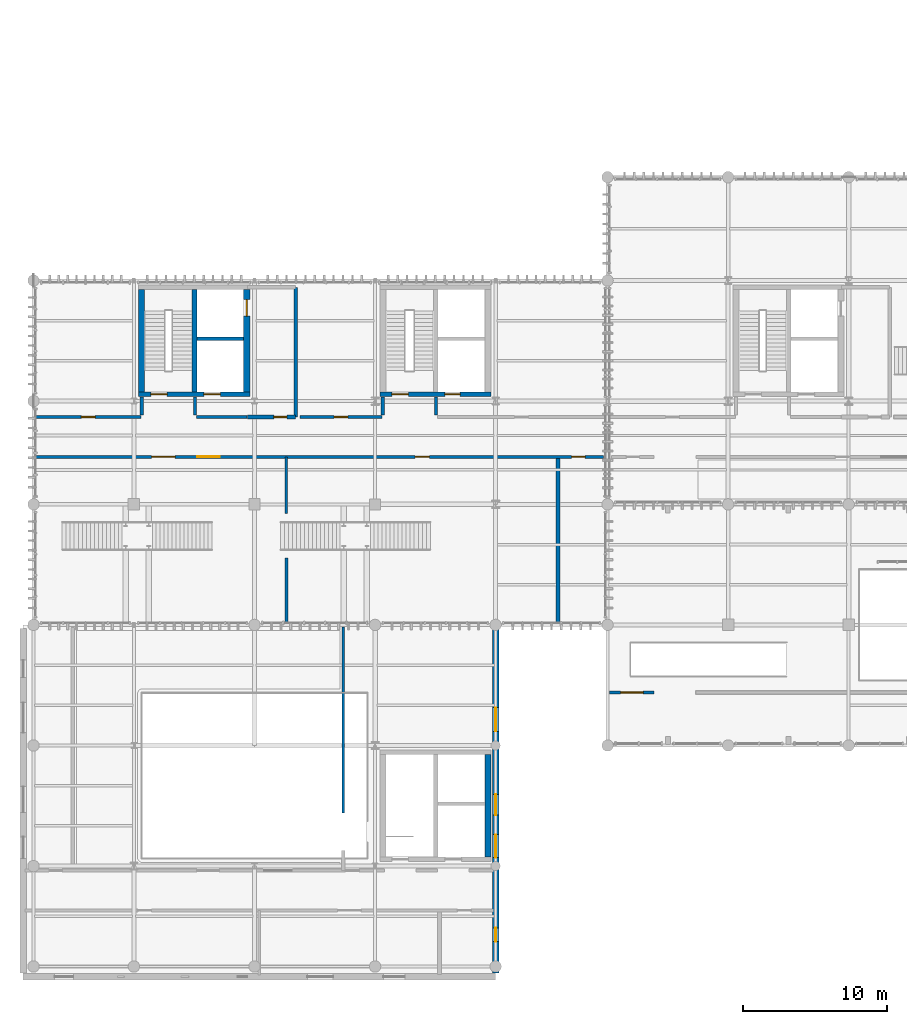
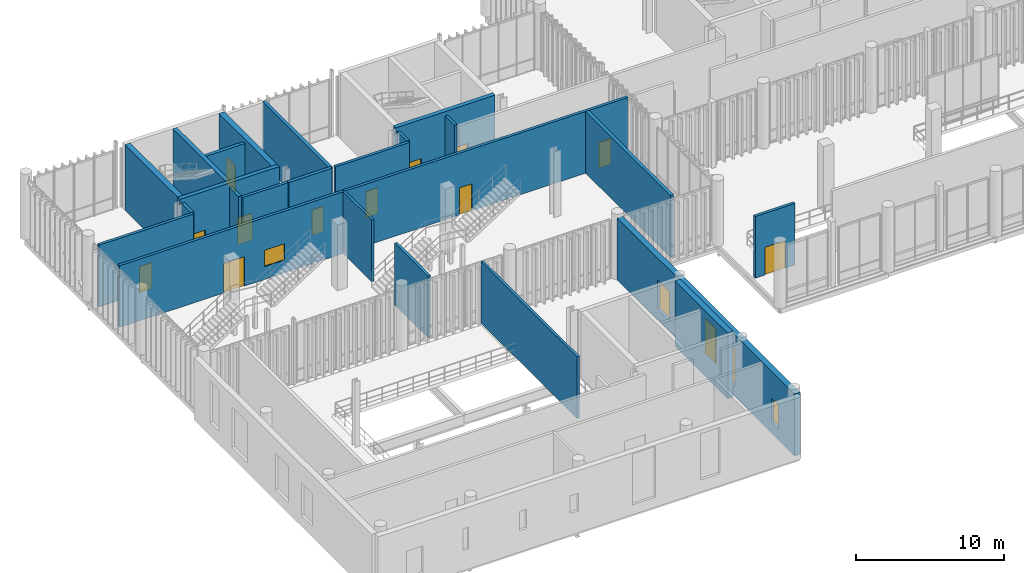
# One storey, part 105 of 128: 23 walls, 12 doors, 5 windows, 17 openings.
"""IFC4 building model written with IfcOpenShell, lengths in metres."""

from ifc_helpers import new_model, si_unit, direction, frame, frame_2d, origin_with_axes, place, context, subcontext, project, spatial, rectangle, extrude, material, layer, layer_set, type_object, element, fill, save


model = new_model("IFC4")

# Units and contexts
model_context = context("Model", 3, precision=1e-05, world=origin_with_axes(), true_north=direction((0.0, 1.0)))
body_context = subcontext(model_context, "Body", "Model", "MODEL_VIEW")
ifc_project = project(units=[si_unit("LENGTHUNIT", "METRE"), si_unit("AREAUNIT", "SQUARE_METRE"), si_unit("VOLUMEUNIT", "CUBIC_METRE"), si_unit("PLANEANGLEUNIT", "RADIAN"), si_unit("MASSUNIT", "GRAM", prefix="KILO"), si_unit("THERMODYNAMICTEMPERATUREUNIT", "KELVIN")], contexts=[model_context])

# Site, building, storey
site_placement = place(None, origin_with_axes())
site = spatial("IfcSite", under=ifc_project, at=site_placement, CompositionType="ELEMENT")
building_placement = place(site_placement, origin_with_axes())
building = spatial("IfcBuilding", under=site, at=building_placement, Name="Montbau Bow Law Courts", CompositionType="ELEMENT")
storey_placement = place(building_placement, frame((0.0, 0.0, 5.4), z_axis=(0.0, 0.0, 1.0), x_axis=(1.0, 0.0, 0.0)))
storey = spatial("IfcBuildingStorey", under=building, at=storey_placement, Name="L01", CompositionType="ELEMENT", Elevation=5.4)

# Wall, opening, door
ifc_material_1 = material(Name="Concrete CSA A23.1 f'c 45 MPa", Category="concrete")
ifc_layer_1 = layer(ifc_material_1, 0.42, Name="Shear Wall", Category="concrete")
ifc_layer_set_1 = layer_set([ifc_layer_1], Name="Concrete CSA A23.1 f'c 45 MPa")
wall_type_1 = type_object("IfcWallType", Name="W-COR-03", PredefinedType="SHEAR", material=ifc_layer_set_1)
wall_1_placement = place(None, frame((21.66, 46.84, 5.4), z_axis=(0.0, 0.0, 1.0), x_axis=(0.0, 1.0, 0.0)))
wall_1 = element("IfcWall", 1, at=wall_1_placement, inside=storey, type_object=wall_type_1, Name="WC-L01-0021:wal_0088", PredefinedType="SHEAR", context=body_context, shape_type="SweptSolid", body=[
    extrude(rectangle(XDim=7.119999999999997, YDim=0.42, at=frame_2d((3.56, 0.0), x_axis=(1.0, 0.0))), origin_with_axes(), (0.0, 0.0, 1.0), 5.4),
])
opening_1_placement = place(None, frame((21.66, 52.69, 5.4), z_axis=(0.0, 0.0, 1.0), x_axis=(0.0, 1.0, 0.0)))
opening_1 = element("IfcOpeningElement", 2, at=opening_1_placement, cuts=wall_1, Name="OP-LD-L01-EL-P2", PredefinedType="OPENING", context=body_context, shape_type="SweptSolid", body=[
    extrude(rectangle(XDim=1.16, YDim=2.2, at=frame_2d((0.0, 1.1), x_axis=(1.0, 0.0))), frame((0.0, 0.22, 0.0), z_axis=(0.0, -1.0, 0.0), x_axis=(1.0, 0.0, 0.0)), (0.0, 0.0, 1.0), 0.44),
])
ifc_material_2 = material(Name="Brushed Stainless Steel Elevator Landing Door", Category="steel")
door_type_1 = type_object("IfcDoorType", Name="LD-PUB-01", OperationType="NOTDEFINED", ParameterTakesPrecedence=False, PredefinedType="DOOR", material=ifc_material_2)
door_1_placement = place(None, frame((21.66, 52.69, 5.4), z_axis=(0.0, 0.0, 1.0), x_axis=(0.0, 1.0, 0.0)))
door_1 = element("IfcDoor", 3, at=door_1_placement, inside=storey, type_object=door_type_1, Name="LD-L01-EL-P2:dor_0047", OperationType="SLIDING_TO_LEFT", OverallHeight=2.2, OverallWidth=1.16, PredefinedType="DOOR", context=body_context, shape_type="SweptSolid", body=[
    extrude(rectangle(XDim=1.16, YDim=2.2, at=frame_2d((0.0, 1.1), x_axis=(1.0, 0.0))), frame((0.0, 0.04, 0.0), z_axis=(0.0, -1.0, 0.0), x_axis=(1.0, 0.0, 0.0)), (0.0, 0.0, 1.0), 0.08),
])
fill(opening_1, door_1)

# Walls
wall_2_placement = place(None, frame((14.34, 53.96, 5.4), z_axis=(0.0, 0.0, 1.0), x_axis=(0.0, -1.0, 0.0)))
element("IfcWall", 4, at=wall_2_placement, inside=storey, type_object=wall_type_1, Name="WC-L01-0022:wal_0089", PredefinedType="SHEAR", context=body_context, shape_type="SweptSolid", body=[
    extrude(rectangle(XDim=7.119999999999997, YDim=0.42, at=frame_2d((3.56, 0.0), x_axis=(1.0, 0.0))), origin_with_axes(), (0.0, 0.0, 1.0), 5.4),
])
wall_3_placement = place(None, frame((38.46, 14.44, 5.4), z_axis=(0.0, 0.0, 1.0), x_axis=(0.0, 1.0, 0.0)))
element("IfcWall", 5, at=wall_3_placement, inside=storey, type_object=wall_type_1, Name="WC-L01-0539:wal_0606", PredefinedType="SHEAR", context=body_context, shape_type="SweptSolid", body=[
    extrude(rectangle(XDim=7.119999999999999, YDim=0.42, at=frame_2d((3.56, 0.0), x_axis=(1.0, 0.0))), origin_with_axes(), (0.0, 0.0, 1.0), 5.4),
])

# Wall, openings, doors
ifc_layer_2 = layer(ifc_material_1, 0.32, Name="Shear Wall", Category="concrete")
ifc_layer_set_2 = layer_set([ifc_layer_2], Name="Concrete CSA A23.1 f'c 45 MPa")
wall_type_2 = type_object("IfcWallType", Name="W-COR-05", PredefinedType="SHEAR", material=ifc_layer_set_2)
wall_4_placement = place(None, frame((14.13, 46.68, 5.4), z_axis=(0.0, 0.0, 1.0), x_axis=(1.0, 0.0, 0.0)))
wall_4 = element("IfcWall", 6, at=wall_4_placement, inside=storey, type_object=wall_type_2, Name="WC-L01-0019:wal_0086", PredefinedType="SHEAR", context=body_context, shape_type="SweptSolid", body=[
    extrude(rectangle(XDim=7.74, YDim=0.32, at=frame_2d((3.87, 0.0), x_axis=(1.0, 0.0))), origin_with_axes(), (0.0, 0.0, 1.0), 5.4),
])
opening_2_placement = place(None, frame((15.55, 46.68, 5.4), z_axis=(0.0, 0.0, 1.0), x_axis=(1.0, 0.0, 0.0)))
opening_2 = element("IfcOpeningElement", 7, at=opening_2_placement, cuts=wall_4, Name="OP-D-L01-ST-P1", PredefinedType="OPENING", context=body_context, shape_type="SweptSolid", body=[
    extrude(rectangle(XDim=1.14, YDim=2.18, at=frame_2d((0.0, 1.09), x_axis=(1.0, 0.0))), frame((0.0, 0.17, 0.0), z_axis=(0.0, -1.0, 0.0), x_axis=(1.0, 0.0, 0.0)), (0.0, 0.0, 1.0), 0.34),
])
opening_3_placement = place(None, frame((19.25, 46.68, 5.4), z_axis=(0.0, 0.0, 1.0), x_axis=(1.0, 0.0, 0.0)))
opening_3 = element("IfcOpeningElement", 8, at=opening_3_placement, cuts=wall_4, Name="OP-LD-L01-EL-P1", PredefinedType="OPENING", context=body_context, shape_type="SweptSolid", body=[
    extrude(rectangle(XDim=1.16, YDim=2.2, at=frame_2d((0.0, 1.1), x_axis=(1.0, 0.0))), frame((0.0, 0.17, 0.0), z_axis=(0.0, -1.0, 0.0), x_axis=(1.0, 0.0, 0.0)), (0.0, 0.0, 1.0), 0.34),
])
ifc_material_3 = material(Name="1.5 h Fire-Rated Hollow-Metal Exit Stair Door", Category="steel")
door_type_2 = type_object("IfcDoorType", Name="D-ST-01", OperationType="NOTDEFINED", ParameterTakesPrecedence=False, PredefinedType="DOOR", material=ifc_material_3)
door_2_placement = place(None, frame((15.55, 46.68, 5.4), z_axis=(0.0, 0.0, 1.0), x_axis=(-1.0, 0.0, 0.0)))
door_2 = element("IfcDoor", 9, at=door_2_placement, inside=storey, type_object=door_type_2, Name="D-L01-ST-P1:dor_0045", OperationType="SINGLE_SWING_RIGHT", OverallHeight=2.18, OverallWidth=1.14, PredefinedType="DOOR", context=body_context, shape_type="SweptSolid", body=[
    extrude(rectangle(XDim=1.14, YDim=2.18, at=frame_2d((0.0, 1.09), x_axis=(1.0, 0.0))), frame((0.0, 0.04, 0.0), z_axis=(0.0, -1.0, 0.0), x_axis=(1.0, 0.0, 0.0)), (0.0, 0.0, 1.0), 0.08),
])
fill(opening_2, door_2)
door_3_placement = place(None, frame((19.25, 46.68, 5.4), z_axis=(0.0, 0.0, 1.0), x_axis=(-1.0, 0.0, 0.0)))
door_3 = element("IfcDoor", 10, at=door_3_placement, inside=storey, type_object=door_type_1, Name="LD-L01-EL-P1:dor_0046", OperationType="SLIDING_TO_LEFT", OverallHeight=2.2, OverallWidth=1.16, PredefinedType="DOOR", context=body_context, shape_type="SweptSolid", body=[
    extrude(rectangle(XDim=1.16, YDim=2.2, at=frame_2d((0.0, 1.1), x_axis=(1.0, 0.0))), frame((0.0, 0.04, 0.0), z_axis=(0.0, -1.0, 0.0), x_axis=(1.0, 0.0, 0.0)), (0.0, 0.0, 1.0), 0.08),
])
fill(opening_3, door_3)

# Wall
wall_5_placement = place(None, frame((18.02, 46.84, 5.4), z_axis=(0.0, 0.0, 1.0), x_axis=(0.0, 1.0, 0.0)))
element("IfcWall", 11, at=wall_5_placement, inside=storey, type_object=wall_type_2, Name="WS-L01-0023:wal_0090", PredefinedType="SHEAR", context=body_context, shape_type="SweptSolid", body=[
    extrude(rectangle(XDim=7.119999999999997, YDim=0.32, at=frame_2d((3.56, 0.0), x_axis=(1.0, 0.0))), origin_with_axes(), (0.0, 0.0, 1.0), 5.4),
])

# Wall, openings, doors
wall_6_placement = place(None, frame((30.93, 46.68, 5.4), z_axis=(0.0, 0.0, 1.0), x_axis=(1.0, 0.0, 0.0)))
wall_6 = element("IfcWall", 12, at=wall_6_placement, inside=storey, type_object=wall_type_2, Name="WC-L01-0094:wal_0161", PredefinedType="SHEAR", context=body_context, shape_type="SweptSolid", body=[
    extrude(rectangle(XDim=7.740000000000002, YDim=0.32, at=frame_2d((3.87, 0.0), x_axis=(1.0, 0.0))), origin_with_axes(), (0.0, 0.0, 1.0), 5.4),
])
opening_4_placement = place(None, frame((32.35, 46.68, 5.4), z_axis=(0.0, 0.0, 1.0), x_axis=(1.0, 0.0, 0.0)))
opening_4 = element("IfcOpeningElement", 13, at=opening_4_placement, cuts=wall_6, Name="OP-D-L01-ST-J1", PredefinedType="OPENING", context=body_context, shape_type="SweptSolid", body=[
    extrude(rectangle(XDim=1.14, YDim=2.18, at=frame_2d((0.0, 1.09), x_axis=(1.0, 0.0))), frame((0.0, 0.17, 0.0), z_axis=(0.0, -1.0, 0.0), x_axis=(1.0, 0.0, 0.0)), (0.0, 0.0, 1.0), 0.34),
])
opening_5_placement = place(None, frame((36.0, 46.68, 5.4), z_axis=(0.0, 0.0, 1.0), x_axis=(1.0, 0.0, 0.0)))
opening_5 = element("IfcOpeningElement", 14, at=opening_5_placement, cuts=wall_6, Name="OP-LD-L01-EL-J1", PredefinedType="OPENING", context=body_context, shape_type="SweptSolid", body=[
    extrude(rectangle(XDim=1.06, YDim=2.16, at=frame_2d((0.0, 1.08), x_axis=(1.0, 0.0))), frame((0.0, 0.17, 0.0), z_axis=(0.0, -1.0, 0.0), x_axis=(1.0, 0.0, 0.0)), (0.0, 0.0, 1.0), 0.34),
])
door_4_placement = place(None, frame((32.35, 46.68, 5.4), z_axis=(0.0, 0.0, 1.0), x_axis=(-1.0, 0.0, 0.0)))
door_4 = element("IfcDoor", 15, at=door_4_placement, inside=storey, type_object=door_type_2, Name="D-L01-ST-J1:dor_0077", OperationType="SINGLE_SWING_LEFT", OverallHeight=2.18, OverallWidth=1.14, PredefinedType="DOOR", context=body_context, shape_type="SweptSolid", body=[
    extrude(rectangle(XDim=1.14, YDim=2.18, at=frame_2d((0.0, 1.09), x_axis=(1.0, 0.0))), frame((0.0, 0.04, 0.0), z_axis=(0.0, -1.0, 0.0), x_axis=(1.0, 0.0, 0.0)), (0.0, 0.0, 1.0), 0.08),
])
fill(opening_4, door_4)
ifc_material_4 = material(Name="Bronze-Clad Judicial Elevator Landing Door", Category="steel")
door_type_3 = type_object("IfcDoorType", Name="LD-JUD-01", OperationType="NOTDEFINED", ParameterTakesPrecedence=False, PredefinedType="DOOR", material=ifc_material_4)
door_5_placement = place(None, frame((36.0, 46.68, 5.4), z_axis=(0.0, 0.0, 1.0), x_axis=(-1.0, 0.0, 0.0)))
door_5 = element("IfcDoor", 16, at=door_5_placement, inside=storey, type_object=door_type_3, Name="LD-L01-EL-J1:dor_0078", OperationType="SLIDING_TO_LEFT", OverallHeight=2.16, OverallWidth=1.06, PredefinedType="DOOR", context=body_context, shape_type="SweptSolid", body=[
    extrude(rectangle(XDim=1.06, YDim=2.16, at=frame_2d((0.0, 1.08), x_axis=(1.0, 0.0))), frame((0.0, 0.04, 0.0), z_axis=(0.0, -1.0, 0.0), x_axis=(1.0, 0.0, 0.0)), (0.0, 0.0, 1.0), 0.08),
])
fill(opening_5, door_5)

# Wall, openings, windows
ifc_material_5 = material(Name="Tyndall Limestone Ashlar Spandrel Assembly", Category="masonry")
ifc_layer_3 = layer(ifc_material_5, 0.44, Name="Solid Wall", Category="masonry")
ifc_layer_set_3 = layer_set([ifc_layer_3], Name="Tyndall Limestone Ashlar Spandrel Assembly")
wall_type_3 = type_object("IfcWallType", Name="W-EXT-03", PredefinedType="SOLIDWALL", material=ifc_layer_set_3)
wall_7_placement = place(None, frame((39.0, 6.34, 5.4), z_axis=(0.0, 0.0, 1.0), x_axis=(0.0, 1.0, 0.0)))
wall_7 = element("IfcWall", 17, at=wall_7_placement, inside=storey, type_object=wall_type_3, Name="WE-L01-005:wal_0022", PredefinedType="SOLIDWALL", context=body_context, shape_type="SweptSolid", body=[
    extrude(rectangle(XDim=23.95, YDim=0.44, at=frame_2d((11.975, 0.0), x_axis=(1.0, 0.0))), origin_with_axes(), (0.0, 0.0, 1.0), 5.1),
])
opening_6_placement = place(None, frame((39.0, 9.015, 6.35), z_axis=(0.0, 0.0, 1.0), x_axis=(0.0, 1.0, 0.0)))
opening_6 = element("IfcOpeningElement", 18, at=opening_6_placement, cuts=wall_7, Name="OP-WN-L01-014", PredefinedType="OPENING", context=body_context, shape_type="SweptSolid", body=[
    extrude(rectangle(XDim=0.95, YDim=1.95, at=frame_2d((0.0, 0.975), x_axis=(1.0, 0.0))), frame((0.0, 0.23, 0.0), z_axis=(0.0, -1.0, 0.0), x_axis=(1.0, 0.0, 0.0)), (0.0, 0.0, 1.0), 0.46),
])
opening_7_placement = place(None, frame((39.0, 15.19, 6.25), z_axis=(0.0, 0.0, 1.0), x_axis=(0.0, 1.0, 0.0)))
opening_7 = element("IfcOpeningElement", 19, at=opening_7_placement, cuts=wall_7, Name="OP-WN-L01-015", PredefinedType="OPENING", context=body_context, shape_type="SweptSolid", body=[
    extrude(rectangle(XDim=1.6, YDim=3.1, at=frame_2d((0.0, 1.55), x_axis=(1.0, 0.0))), frame((0.0, 0.23, 0.0), z_axis=(0.0, -1.0, 0.0), x_axis=(1.0, 0.0, 0.0)), (0.0, 0.0, 1.0), 0.46),
])
opening_8_placement = place(None, frame((39.0, 18.065, 6.3), z_axis=(0.0, 0.0, 1.0), x_axis=(0.0, 1.0, 0.0)))
opening_8 = element("IfcOpeningElement", 20, at=opening_8_placement, cuts=wall_7, Name="OP-WN-L01-016", PredefinedType="OPENING", context=body_context, shape_type="SweptSolid", body=[
    extrude(rectangle(XDim=1.45, YDim=2.85, at=frame_2d((0.0, 1.425), x_axis=(1.0, 0.0))), frame((0.0, 0.23, 0.0), z_axis=(0.0, -1.0, 0.0), x_axis=(1.0, 0.0, 0.0)), (0.0, 0.0, 1.0), 0.46),
])
opening_9_placement = place(None, frame((39.0, 24.015, 6.3), z_axis=(0.0, 0.0, 1.0), x_axis=(0.0, 1.0, 0.0)))
opening_9 = element("IfcOpeningElement", 21, at=opening_9_placement, cuts=wall_7, Name="OP-WN-L01-017", PredefinedType="OPENING", context=body_context, shape_type="SweptSolid", body=[
    extrude(rectangle(XDim=1.65, YDim=2.4, at=frame_2d((0.0, 1.2), x_axis=(1.0, 0.0))), frame((0.0, 0.23, 0.0), z_axis=(0.0, -1.0, 0.0), x_axis=(1.0, 0.0, 0.0)), (0.0, 0.0, 1.0), 0.46),
])
ifc_material_6 = material(Name="Triple-Glazed Low-E Argon Insulating Glass Unit", Category="glass")
window_type_1 = type_object("IfcWindowType", Name="WN-APP-01", ParameterTakesPrecedence=False, PartitioningType="SINGLE_PANEL", PredefinedType="WINDOW", material=ifc_material_6)
window_1_placement = place(None, frame((39.0, 24.015, 6.3), z_axis=(0.0, 0.0, 1.0), x_axis=(0.0, 1.0, 0.0)))
window_1 = element("IfcWindow", 22, at=window_1_placement, inside=storey, type_object=window_type_1, Name="WN-L01-017:win_0017", OverallHeight=2.4, OverallWidth=1.65, PartitioningType="SINGLE_PANEL", PredefinedType="WINDOW", context=body_context, shape_type="SweptSolid", body=[
    extrude(rectangle(XDim=1.65, YDim=2.4, at=frame_2d((0.0, 1.2), x_axis=(1.0, 0.0))), frame((0.0, 0.03, 0.0), z_axis=(0.0, -1.0, 0.0), x_axis=(1.0, 0.0, 0.0)), (0.0, 0.0, 1.0), 0.06),
])
fill(opening_9, window_1)
window_type_2 = type_object("IfcWindowType", Name="WN-CHM-04", ParameterTakesPrecedence=False, PartitioningType="SINGLE_PANEL", PredefinedType="WINDOW", material=ifc_material_6)
window_2_placement = place(None, frame((39.0, 9.015, 6.35), z_axis=(0.0, 0.0, 1.0), x_axis=(0.0, 1.0, 0.0)))
window_2 = element("IfcWindow", 23, at=window_2_placement, inside=storey, type_object=window_type_2, Name="WN-L01-014:win_0014", OverallHeight=1.95, OverallWidth=0.95, PartitioningType="SINGLE_PANEL", PredefinedType="WINDOW", context=body_context, shape_type="SweptSolid", body=[
    extrude(rectangle(XDim=0.95, YDim=1.95, at=frame_2d((0.0, 0.975), x_axis=(1.0, 0.0))), frame((0.0, 0.03, 0.0), z_axis=(0.0, -1.0, 0.0), x_axis=(1.0, 0.0, 0.0)), (0.0, 0.0, 1.0), 0.06),
])
fill(opening_6, window_2)
window_type_3 = type_object("IfcWindowType", Name="WN-LIB-01", ParameterTakesPrecedence=False, PartitioningType="SINGLE_PANEL", PredefinedType="WINDOW", material=ifc_material_6)
window_3_placement = place(None, frame((39.0, 15.19, 6.25), z_axis=(0.0, 0.0, 1.0), x_axis=(0.0, 1.0, 0.0)))
window_3 = element("IfcWindow", 24, at=window_3_placement, inside=storey, type_object=window_type_3, Name="WN-L01-015:win_0015", OverallHeight=3.1, OverallWidth=1.6, PartitioningType="SINGLE_PANEL", PredefinedType="WINDOW", context=body_context, shape_type="SweptSolid", body=[
    extrude(rectangle(XDim=1.6, YDim=3.1, at=frame_2d((0.0, 1.55), x_axis=(1.0, 0.0))), frame((0.0, 0.03, 0.0), z_axis=(0.0, -1.0, 0.0), x_axis=(1.0, 0.0, 0.0)), (0.0, 0.0, 1.0), 0.06),
])
fill(opening_7, window_3)
window_type_4 = type_object("IfcWindowType", Name="WN-LIB-02", ParameterTakesPrecedence=False, PartitioningType="SINGLE_PANEL", PredefinedType="WINDOW", material=ifc_material_6)
window_4_placement = place(None, frame((39.0, 18.065, 6.3), z_axis=(0.0, 0.0, 1.0), x_axis=(0.0, 1.0, 0.0)))
window_4 = element("IfcWindow", 25, at=window_4_placement, inside=storey, type_object=window_type_4, Name="WN-L01-016:win_0016", OverallHeight=2.85, OverallWidth=1.45, PartitioningType="SINGLE_PANEL", PredefinedType="WINDOW", context=body_context, shape_type="SweptSolid", body=[
    extrude(rectangle(XDim=1.45, YDim=2.85, at=frame_2d((0.0, 1.425), x_axis=(1.0, 0.0))), frame((0.0, 0.03, 0.0), z_axis=(0.0, -1.0, 0.0), x_axis=(1.0, 0.0, 0.0)), (0.0, 0.0, 1.0), 0.06),
])
fill(opening_8, window_4)

# Walls
ifc_material_7 = material(Name="Double-Stud Acoustic Plumbing Chase Gypsum Assembly", Category="gypsum")
ifc_layer_4 = layer(ifc_material_7, 0.26, Name="Plumbing Wall", Category="gypsum")
ifc_layer_set_4 = layer_set([ifc_layer_4], Name="Double-Stud Acoustic Plumbing Chase Gypsum Assembly")
wall_type_4 = type_object("IfcWallType", Name="W-PLM-01", PredefinedType="PLUMBINGWALL", material=ifc_layer_set_4)
wall_8_placement = place(None, frame((43.34, 30.78, 5.4), z_axis=(0.0, 0.0, 1.0), x_axis=(0.0, 1.0, 0.0)))
element("IfcWall", 26, at=wall_8_placement, inside=storey, type_object=wall_type_4, Name="WD-L01-0688:wal_0755", PredefinedType="PLUMBINGWALL", context=body_context, shape_type="SweptSolid", body=[
    extrude(rectangle(XDim=11.43, YDim=0.26, at=frame_2d((5.715, 0.0), x_axis=(1.0, 0.0))), origin_with_axes(), (0.0, 0.0, 1.0), 5.08),
])
ifc_material_8 = material(Name="2 h Shaft and Exit-Passage Fire Separation Partition", Category="gypsum")
ifc_layer_5 = layer(ifc_material_8, 0.25, Name="Partition", Category="gypsum")
ifc_layer_set_5 = layer_set([ifc_layer_5], Name="2 h Shaft and Exit-Passage Fire Separation Partition")
wall_type_5 = type_object("IfcWallType", Name="W-PRT-01", PredefinedType="PARTITIONING", material=ifc_layer_set_5)
wall_9_placement = place(None, frame((18.18, 50.549, 5.4), z_axis=(0.0, 0.0, 1.0), x_axis=(1.0, 0.0, 0.0)))
element("IfcWall", 27, at=wall_9_placement, inside=storey, type_object=wall_type_5, Name="WS-L01-0024:wal_0091", PredefinedType="PARTITIONING", context=body_context, shape_type="SweptSolid", body=[
    extrude(rectangle(XDim=3.2699999999999996, YDim=0.25, at=frame_2d((1.635, 0.0), x_axis=(1.0, 0.0))), origin_with_axes(), (0.0, 0.0, 1.0), 5.08),
])
wall_10_placement = place(None, frame((25.06, 45.09, 5.4), z_axis=(0.0, 0.0, 1.0), x_axis=(0.0, 1.0, 0.0)))
element("IfcWall", 28, at=wall_10_placement, inside=storey, type_object=wall_type_5, Name="WEL-L01-0025:wal_0092", PredefinedType="PARTITIONING", context=body_context, shape_type="SweptSolid", body=[
    extrude(rectangle(XDim=9.029999999999994, YDim=0.25, at=frame_2d((4.515, 0.0), x_axis=(1.0, 0.0))), origin_with_axes(), (0.0, 0.0, 1.0), 5.08),
])

# Wall, opening, door
wall_11_placement = place(None, frame((21.7, 45.09, 5.4), z_axis=(0.0, 0.0, 1.0), x_axis=(1.0, 0.0, 0.0)))
wall_11 = element("IfcWall", 29, at=wall_11_placement, inside=storey, type_object=wall_type_5, Name="WEL-L01-0027:wal_0094", PredefinedType="PARTITIONING", context=body_context, shape_type="SweptSolid", body=[
    extrude(rectangle(XDim=3.3599999999999994, YDim=0.25, at=frame_2d((1.68, 0.0), x_axis=(1.0, 0.0))), origin_with_axes(), (0.0, 0.0, 1.0), 5.08),
])
opening_10_placement = place(None, frame((24.005, 45.09, 5.4), z_axis=(0.0, 0.0, 1.0), x_axis=(1.0, 0.0, 0.0)))
opening_10 = element("IfcOpeningElement", 30, at=opening_10_placement, cuts=wall_11, Name="OP-D-L01-ELB-CORE-W1", PredefinedType="OPENING", context=body_context, shape_type="SweptSolid", body=[
    extrude(rectangle(XDim=0.91, YDim=2.12, at=frame_2d((0.0, 1.06), x_axis=(1.0, 0.0))), frame((0.0, 0.135, 0.0), z_axis=(0.0, -1.0, 0.0), x_axis=(1.0, 0.0, 0.0)), (0.0, 0.0, 1.0), 0.27),
])
ifc_material_9 = material(Name="Public and Judicial Washroom Solid-Core Door", Category="wood")
door_type_4 = type_object("IfcDoorType", Name="D-WC-02", OperationType="NOTDEFINED", ParameterTakesPrecedence=False, PredefinedType="DOOR", material=ifc_material_9)
door_6_placement = place(None, frame((24.005, 45.09, 5.4), z_axis=(0.0, 0.0, 1.0), x_axis=(1.0, 0.0, 0.0)))
door_6 = element("IfcDoor", 31, at=door_6_placement, inside=storey, type_object=door_type_4, Name="D-L01-ELB-CORE-W1:dor_0048", OperationType="SINGLE_SWING_LEFT", OverallHeight=2.12, OverallWidth=0.91, PredefinedType="DOOR", context=body_context, shape_type="SweptSolid", body=[
    extrude(rectangle(XDim=0.91, YDim=2.12, at=frame_2d((0.0, 1.06), x_axis=(1.0, 0.0))), frame((0.0, 0.04, 0.0), z_axis=(0.0, -1.0, 0.0), x_axis=(1.0, 0.0, 0.0)), (0.0, 0.0, 1.0), 0.08),
])
fill(opening_10, door_6)

# Walls
ifc_material_10 = material(Name="STC-60 High-Acoustic Courtroom Perimeter Partition", Category="gypsum")
ifc_layer_6 = layer(ifc_material_10, 0.22, Name="Partition", Category="gypsum")
ifc_layer_set_6 = layer_set([ifc_layer_6], Name="STC-60 High-Acoustic Courtroom Perimeter Partition")
wall_type_6 = type_object("IfcWallType", Name="W-PRT-02", PredefinedType="PARTITIONING", material=ifc_layer_set_6)
for number, where, z_axis, x_axis, name in (
    (32, (14.34, 45.22, 5.4), (0.0, 0.0, 1.0), (0.0, 1.0, 0.0), "WCX-L01-0679:wal_0746"),
    (33, (18.05, 45.22, 5.4), (0.0, 0.0, 1.0), (0.0, 1.0, 0.0), "WCX-L01-0680:wal_0747"),
    (34, (31.14, 45.22, 5.4), (0.0, 0.0, 1.0), (0.0, 1.0, 0.0), "WCX-L01-0681:wal_0748"),
    (35, (34.85, 45.22, 5.4), (0.0, 0.0, 1.0), (0.0, 1.0, 0.0), "WCX-L01-0682:wal_0749"),
):
    element("IfcWall", number, at=place(None, frame(where, z_axis=z_axis, x_axis=x_axis)), inside=storey, type_object=wall_type_6, Name=name, PredefinedType="PARTITIONING", context=body_context, shape_type="SweptSolid", body=[
        extrude(rectangle(XDim=1.259999999999998, YDim=0.22, at=frame_2d((0.63, 0.0), x_axis=(1.0, 0.0))), origin_with_axes(), (0.0, 0.0, 1.0), 5.08),
    ])

# Wall, opening, door
wall_12_placement = place(None, frame((6.94, 45.09, 5.4), z_axis=(0.0, 0.0, 1.0), x_axis=(1.0, 0.0, 0.0)))
wall_12 = element("IfcWall", 36, at=wall_12_placement, inside=storey, type_object=wall_type_6, Name="WP-L01-0683:wal_0750", PredefinedType="PARTITIONING", context=body_context, shape_type="SweptSolid", body=[
    extrude(rectangle(XDim=7.36, YDim=0.22, at=frame_2d((3.68, 0.0), x_axis=(1.0, 0.0))), origin_with_axes(), (0.0, 0.0, 1.0), 5.08),
])
opening_11_placement = place(None, frame((10.62, 45.09, 5.4), z_axis=(0.0, 0.0, 1.0), x_axis=(1.0, 0.0, 0.0)))
opening_11 = element("IfcOpeningElement", 37, at=opening_11_placement, cuts=wall_12, Name="OP-D-L01-272", PredefinedType="OPENING", context=body_context, shape_type="SweptSolid", body=[
    extrude(rectangle(XDim=0.95, YDim=2.16, at=frame_2d((0.0, 1.08), x_axis=(1.0, 0.0))), frame((0.0, 0.12, 0.0), z_axis=(0.0, -1.0, 0.0), x_axis=(1.0, 0.0, 0.0)), (0.0, 0.0, 1.0), 0.24),
])
ifc_material_11 = material(Name="Mediation and Witness Waiting Acoustic Oak Door", Category="wood")
door_type_5 = type_object("IfcDoorType", Name="D-MED-01", OperationType="NOTDEFINED", ParameterTakesPrecedence=False, PredefinedType="DOOR", material=ifc_material_11)
door_7_placement = place(None, frame((10.62, 45.09, 5.4), z_axis=(0.0, 0.0, 1.0), x_axis=(-1.0, 0.0, 0.0)))
door_7 = element("IfcDoor", 38, at=door_7_placement, inside=storey, type_object=door_type_5, Name="D-L01-272:dor_0307", OperationType="SINGLE_SWING_RIGHT", OverallHeight=2.16, OverallWidth=0.95, PredefinedType="DOOR", context=body_context, shape_type="SweptSolid", body=[
    extrude(rectangle(XDim=0.95, YDim=2.16, at=frame_2d((0.0, 1.08), x_axis=(1.0, 0.0))), frame((0.0, 0.04, 0.0), z_axis=(0.0, -1.0, 0.0), x_axis=(1.0, 0.0, 0.0)), (0.0, 0.0, 1.0), 0.08),
])
fill(opening_11, door_7)

# Wall
wall_13_placement = place(None, frame((18.15, 45.09, 5.4), z_axis=(0.0, 0.0, 1.0), x_axis=(1.0, 0.0, 0.0)))
element("IfcWall", 39, at=wall_13_placement, inside=storey, type_object=wall_type_6, Name="WP-L01-0684:wal_0751", PredefinedType="PARTITIONING", context=body_context, shape_type="SweptSolid", body=[
    extrude(rectangle(XDim=3.5100000000000016, YDim=0.22, at=frame_2d((1.755, 0.0), x_axis=(1.0, 0.0))), origin_with_axes(), (0.0, 0.0, 1.0), 5.08),
])

# Wall, opening, door
wall_14_placement = place(None, frame((25.355, 45.09, 5.4), z_axis=(0.0, 0.0, 1.0), x_axis=(1.0, 0.0, 0.0)))
wall_14 = element("IfcWall", 40, at=wall_14_placement, inside=storey, type_object=wall_type_6, Name="WP-L01-0685:wal_0752", PredefinedType="PARTITIONING", context=body_context, shape_type="SweptSolid", body=[
    extrude(rectangle(XDim=5.745000000000001, YDim=0.22, at=frame_2d((2.8725, 0.0), x_axis=(1.0, 0.0))), origin_with_axes(), (0.0, 0.0, 1.0), 5.08),
])
opening_12_placement = place(None, frame((28.227, 45.09, 5.4), z_axis=(0.0, 0.0, 1.0), x_axis=(1.0, 0.0, 0.0)))
opening_12 = element("IfcOpeningElement", 41, at=opening_12_placement, cuts=wall_14, Name="OP-D-L01-273", PredefinedType="OPENING", context=body_context, shape_type="SweptSolid", body=[
    extrude(rectangle(XDim=0.95, YDim=2.16, at=frame_2d((0.0, 1.08), x_axis=(1.0, 0.0))), frame((0.0, 0.12, 0.0), z_axis=(0.0, -1.0, 0.0), x_axis=(1.0, 0.0, 0.0)), (0.0, 0.0, 1.0), 0.24),
])
door_8_placement = place(None, frame((28.227, 45.09, 5.4), z_axis=(0.0, 0.0, 1.0), x_axis=(-1.0, 0.0, 0.0)))
door_8 = element("IfcDoor", 42, at=door_8_placement, inside=storey, type_object=door_type_5, Name="D-L01-273:dor_0308", OperationType="SINGLE_SWING_LEFT", OverallHeight=2.16, OverallWidth=0.95, PredefinedType="DOOR", context=body_context, shape_type="SweptSolid", body=[
    extrude(rectangle(XDim=0.95, YDim=2.16, at=frame_2d((0.0, 1.08), x_axis=(1.0, 0.0))), frame((0.0, 0.04, 0.0), z_axis=(0.0, -1.0, 0.0), x_axis=(1.0, 0.0, 0.0)), (0.0, 0.0, 1.0), 0.08),
])
fill(opening_12, door_8)

# Wall, openings, doors, window
wall_15_placement = place(None, frame((6.94, 42.31, 5.4), z_axis=(0.0, 0.0, 1.0), x_axis=(1.0, 0.0, 0.0)))
wall_15 = element("IfcWall", 43, at=wall_15_placement, inside=storey, type_object=wall_type_6, Name="WP-L01-0687:wal_0754", PredefinedType="PARTITIONING", context=body_context, shape_type="SweptSolid", body=[
    extrude(rectangle(XDim=39.580000000000005, YDim=0.22, at=frame_2d((19.79, 0.0), x_axis=(1.0, 0.0))), origin_with_axes(), (0.0, 0.0, 1.0), 5.08),
])
opening_13_placement = place(None, frame((15.845, 42.31, 5.4), z_axis=(0.0, 0.0, 1.0), x_axis=(1.0, 0.0, 0.0)))
opening_13 = element("IfcOpeningElement", 44, at=opening_13_placement, cuts=wall_15, Name="OP-D-L01-275", PredefinedType="OPENING", context=body_context, shape_type="SweptSolid", body=[
    extrude(rectangle(XDim=1.64, YDim=2.42, at=frame_2d((0.0, 1.21), x_axis=(1.0, 0.0))), frame((0.0, 0.12, 0.0), z_axis=(0.0, -1.0, 0.0), x_axis=(1.0, 0.0, 0.0)), (0.0, 0.0, 1.0), 0.24),
])
opening_14_placement = place(None, frame((33.883, 42.31, 5.4), z_axis=(0.0, 0.0, 1.0), x_axis=(1.0, 0.0, 0.0)))
opening_14 = element("IfcOpeningElement", 45, at=opening_14_placement, cuts=wall_15, Name="OP-D-L01-276", PredefinedType="OPENING", context=body_context, shape_type="SweptSolid", body=[
    extrude(rectangle(XDim=0.99, YDim=2.22, at=frame_2d((0.0, 1.11), x_axis=(1.0, 0.0))), frame((0.0, 0.12, 0.0), z_axis=(0.0, -1.0, 0.0), x_axis=(1.0, 0.0, 0.0)), (0.0, 0.0, 1.0), 0.24),
])
opening_15_placement = place(None, frame((44.768, 42.31, 5.4), z_axis=(0.0, 0.0, 1.0), x_axis=(1.0, 0.0, 0.0)))
opening_15 = element("IfcOpeningElement", 46, at=opening_15_placement, cuts=wall_15, Name="OP-D-L01-277", PredefinedType="OPENING", context=body_context, shape_type="SweptSolid", body=[
    extrude(rectangle(XDim=0.95, YDim=2.1, at=frame_2d((0.0, 1.05), x_axis=(1.0, 0.0))), frame((0.0, 0.12, 0.0), z_axis=(0.0, -1.0, 0.0), x_axis=(1.0, 0.0, 0.0)), (0.0, 0.0, 1.0), 0.24),
])
opening_16_placement = place(None, frame((19.0, 42.31, 6.45), z_axis=(0.0, 0.0, 1.0), x_axis=(1.0, 0.0, 0.0)))
opening_16 = element("IfcOpeningElement", 47, at=opening_16_placement, cuts=wall_15, Name="OP-WI-L01-10", PredefinedType="OPENING", context=body_context, shape_type="SweptSolid", body=[
    extrude(rectangle(XDim=1.55, YDim=1.35, at=frame_2d((0.0, 0.675), x_axis=(1.0, 0.0))), frame((0.0, 0.12, 0.0), z_axis=(0.0, -1.0, 0.0), x_axis=(1.0, 0.0, 0.0)), (0.0, 0.0, 1.0), 0.24),
])
ifc_material_12 = material(Name="Acoustic White-Oak Civil and Family Hearing Double Door", Category="wood")
door_type_6 = type_object("IfcDoorType", Name="D-CRT-04", OperationType="NOTDEFINED", ParameterTakesPrecedence=False, PredefinedType="DOOR", material=ifc_material_12)
door_9_placement = place(None, frame((15.845, 42.31, 5.4), z_axis=(0.0, 0.0, 1.0), x_axis=(1.0, 0.0, 0.0)))
door_9 = element("IfcDoor", 48, at=door_9_placement, inside=storey, type_object=door_type_6, Name="D-L01-275:dor_0310", OperationType="DOUBLE_DOOR_SINGLE_SWING", OverallHeight=2.42, OverallWidth=1.64, PredefinedType="DOOR", context=body_context, shape_type="SweptSolid", body=[
    extrude(rectangle(XDim=1.64, YDim=2.42, at=frame_2d((0.0, 1.21), x_axis=(1.0, 0.0))), frame((0.0, 0.04, 0.0), z_axis=(0.0, -1.0, 0.0), x_axis=(1.0, 0.0, 0.0)), (0.0, 0.0, 1.0), 0.08),
])
fill(opening_13, door_9)
ifc_material_13 = material(Name="STC-52 Jury Deliberation Suite Solid-Core Oak Door", Category="wood")
door_type_7 = type_object("IfcDoorType", Name="D-JUR-01", OperationType="NOTDEFINED", ParameterTakesPrecedence=False, PredefinedType="DOOR", material=ifc_material_13)
door_10_placement = place(None, frame((33.883, 42.31, 5.4), z_axis=(0.0, 0.0, 1.0), x_axis=(1.0, 0.0, 0.0)))
door_10 = element("IfcDoor", 49, at=door_10_placement, inside=storey, type_object=door_type_7, Name="D-L01-276:dor_0311", OperationType="SINGLE_SWING_LEFT", OverallHeight=2.22, OverallWidth=0.99, PredefinedType="DOOR", context=body_context, shape_type="SweptSolid", body=[
    extrude(rectangle(XDim=0.99, YDim=2.22, at=frame_2d((0.0, 1.11), x_axis=(1.0, 0.0))), frame((0.0, 0.04, 0.0), z_axis=(0.0, -1.0, 0.0), x_axis=(1.0, 0.0, 0.0)), (0.0, 0.0, 1.0), 0.08),
])
fill(opening_14, door_10)
ifc_material_14 = material(Name="CSA B651 Universal Barrier-Free Washroom Door", Category="wood")
door_type_8 = type_object("IfcDoorType", Name="D-WC-01", OperationType="NOTDEFINED", ParameterTakesPrecedence=False, PredefinedType="DOOR", material=ifc_material_14)
door_11_placement = place(None, frame((44.768, 42.31, 5.4), z_axis=(0.0, 0.0, 1.0), x_axis=(1.0, 0.0, 0.0)))
door_11 = element("IfcDoor", 50, at=door_11_placement, inside=storey, type_object=door_type_8, Name="D-L01-277:dor_0312", OperationType="SINGLE_SWING_RIGHT", OverallHeight=2.1, OverallWidth=0.95, PredefinedType="DOOR", context=body_context, shape_type="SweptSolid", body=[
    extrude(rectangle(XDim=0.95, YDim=2.1, at=frame_2d((0.0, 1.05), x_axis=(1.0, 0.0))), frame((0.0, 0.04, 0.0), z_axis=(0.0, -1.0, 0.0), x_axis=(1.0, 0.0, 0.0)), (0.0, 0.0, 1.0), 0.08),
])
fill(opening_15, door_11)
ifc_material_15 = material(Name="Registry Counter Security Pass-Through Glazing", Category="glass")
window_type_5 = type_object("IfcWindowType", Name="WN-INT-02", ParameterTakesPrecedence=False, PartitioningType="SINGLE_PANEL", PredefinedType="WINDOW", material=ifc_material_15)
window_5_placement = place(None, frame((19.0, 42.31, 6.45), z_axis=(0.0, 0.0, 1.0), x_axis=(1.0, 0.0, 0.0)))
window_5 = element("IfcWindow", 51, at=window_5_placement, inside=storey, type_object=window_type_5, Name="WI-L01-10:win_0132", OverallHeight=1.35, OverallWidth=1.55, PartitioningType="SINGLE_PANEL", PredefinedType="WINDOW", context=body_context, shape_type="SweptSolid", body=[
    extrude(rectangle(XDim=1.55, YDim=1.35, at=frame_2d((0.0, 0.675), x_axis=(1.0, 0.0))), frame((0.0, 0.03, 0.0), z_axis=(0.0, -1.0, 0.0), x_axis=(1.0, 0.0, 0.0)), (0.0, 0.0, 1.0), 0.06),
])
fill(opening_16, window_5)

# Wall, opening, door
wall_16_placement = place(None, frame((46.94, 25.89, 5.4), z_axis=(0.0, 0.0, 1.0), x_axis=(1.0, 0.0, 0.0)))
wall_16 = element("IfcWall", 52, at=wall_16_placement, inside=storey, type_object=wall_type_6, Name="WP-L01-0708:wal_0775", PredefinedType="PARTITIONING", context=body_context, shape_type="SweptSolid", body=[
    extrude(rectangle(XDim=3.1099999999999994, YDim=0.22, at=frame_2d((1.555, 0.0), x_axis=(1.0, 0.0))), origin_with_axes(), (0.0, 0.0, 1.0), 5.08),
])
opening_17_placement = place(None, frame((48.495, 25.89, 5.4), z_axis=(0.0, 0.0, 1.0), x_axis=(1.0, 0.0, 0.0)))
opening_17 = element("IfcOpeningElement", 53, at=opening_17_placement, cuts=wall_16, Name="OP-D-L01-286", PredefinedType="OPENING", context=body_context, shape_type="SweptSolid", body=[
    extrude(rectangle(XDim=1.56, YDim=2.28, at=frame_2d((0.0, 1.14), x_axis=(1.0, 0.0))), frame((0.0, 0.12, 0.0), z_axis=(0.0, -1.0, 0.0), x_axis=(1.0, 0.0, 0.0)), (0.0, 0.0, 1.0), 0.24),
])
ifc_material_16 = material(Name="Case Registry Counter Suite Double Door", Category="wood")
door_type_9 = type_object("IfcDoorType", Name="D-REG-01", OperationType="NOTDEFINED", ParameterTakesPrecedence=False, PredefinedType="DOOR", material=ifc_material_16)
door_12_placement = place(None, frame((48.495, 25.89, 5.4), z_axis=(0.0, 0.0, 1.0), x_axis=(-1.0, 0.0, 0.0)))
door_12 = element("IfcDoor", 54, at=door_12_placement, inside=storey, type_object=door_type_9, Name="D-L01-286:dor_0321", OperationType="DOUBLE_DOOR_SINGLE_SWING", OverallHeight=2.28, OverallWidth=1.56, PredefinedType="DOOR", context=body_context, shape_type="SweptSolid", body=[
    extrude(rectangle(XDim=1.56, YDim=2.28, at=frame_2d((0.0, 1.14), x_axis=(1.0, 0.0))), frame((0.0, 0.04, 0.0), z_axis=(0.0, -1.0, 0.0), x_axis=(1.0, 0.0, 0.0)), (0.0, 0.0, 1.0), 0.08),
])
fill(opening_17, door_12)

# Walls
ifc_material_17 = material(Name="STC-55 Jury Deliberation Security Partition", Category="gypsum")
ifc_layer_7 = layer(ifc_material_17, 0.2, Name="Partition", Category="gypsum")
ifc_layer_set_7 = layer_set([ifc_layer_7], Name="STC-55 Jury Deliberation Security Partition")
wall_type_7 = type_object("IfcWallType", Name="W-PRT-03", PredefinedType="PARTITIONING", material=ifc_layer_set_7)
wall_17_placement = place(None, frame((28.386, 17.5, 5.4), z_axis=(0.0, 0.0, 1.0), x_axis=(0.0, 1.0, 0.0)))
element("IfcWall", 55, at=wall_17_placement, inside=storey, type_object=wall_type_7, Name="WD-L01-0677:wal_0744", PredefinedType="PARTITIONING", context=body_context, shape_type="SweptSolid", body=[
    extrude(rectangle(XDim=12.96, YDim=0.2, at=frame_2d((6.48, 0.0), x_axis=(1.0, 0.0))), origin_with_axes(), (0.0, 0.0, 1.0), 5.08),
])
wall_18_placement = place(None, frame((24.426, 30.74, 5.4), z_axis=(0.0, 0.0, 1.0), x_axis=(0.0, 1.0, 0.0)))
element("IfcWall", 56, at=wall_18_placement, inside=storey, type_object=wall_type_7, Name="WD-L01-0689:wal_0756", PredefinedType="PARTITIONING", context=body_context, shape_type="SweptSolid", body=[
    extrude(rectangle(XDim=4.510000000000002, YDim=0.2, at=frame_2d((2.255, 0.0), x_axis=(1.0, 0.0))), origin_with_axes(), (0.0, 0.0, 1.0), 5.08),
])
ifc_material_18 = material(Name="1 h Corridor Fire-Rated Gypsum Partition", Category="gypsum")
ifc_layer_8 = layer(ifc_material_18, 0.18, Name="Partition", Category="gypsum")
ifc_layer_set_8 = layer_set([ifc_layer_8], Name="1 h Corridor Fire-Rated Gypsum Partition")
wall_type_8 = type_object("IfcWallType", Name="W-PRT-04", PredefinedType="PARTITIONING", material=ifc_layer_set_8)
wall_19_placement = place(None, frame((24.426, 38.35, 5.4), z_axis=(0.0, 0.0, 1.0), x_axis=(0.0, 1.0, 0.0)))
element("IfcWall", 57, at=wall_19_placement, inside=storey, type_object=wall_type_8, Name="WD-L01-0690:wal_0757", PredefinedType="PARTITIONING", context=body_context, shape_type="SweptSolid", body=[
    extrude(rectangle(XDim=3.960000000000001, YDim=0.18, at=frame_2d((1.98, 0.0), x_axis=(1.0, 0.0))), origin_with_axes(), (0.0, 0.0, 1.0), 5.08),
])

save(model, "model.ifc")
